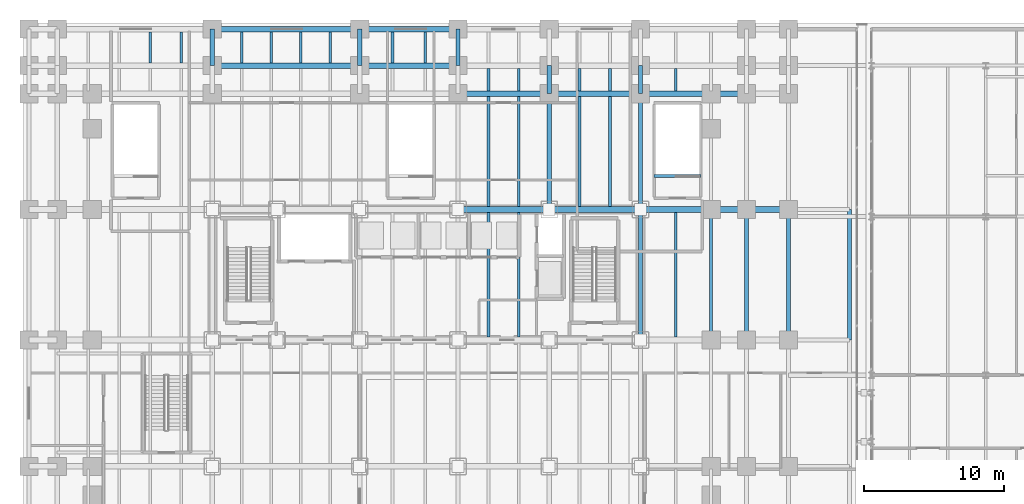
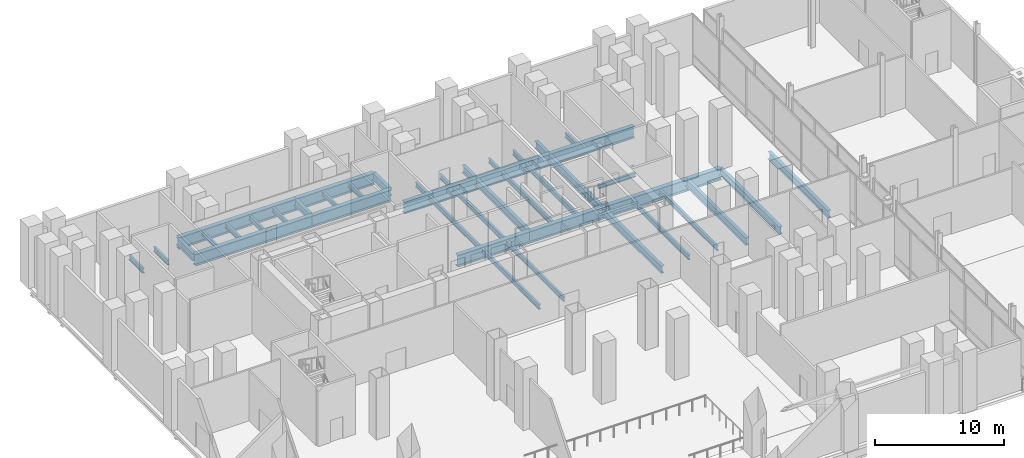
# One storey, part 16 of 36: 44 beams.
"""IFC4 building model written with IfcOpenShell, lengths in metres."""

from ifc_helpers import new_model, si_unit, direction, frame, origin, origin_2d, place, context, subcontext, project, spatial, i_section, extrude, material, material_profile, profile_set, type_object, element, save


model = new_model("IFC4")

# Units and contexts
model_context = context("Model", 3, precision=1e-05, world=origin(), true_north=direction((0.0, 1.0)))
body_context = subcontext(model_context, "Body", "Model", "MODEL_VIEW")
ifc_project = project(units=[si_unit("LENGTHUNIT", "METRE"), si_unit("AREAUNIT", "SQUARE_METRE"), si_unit("VOLUMEUNIT", "CUBIC_METRE"), si_unit("PLANEANGLEUNIT", "RADIAN"), si_unit("MASSUNIT", "GRAM", prefix="KILO")], contexts=[model_context])

# Site, building, storey
site_placement = place(None, origin())
site = spatial("IfcSite", under=ifc_project, at=site_placement, CompositionType="ELEMENT")
building_placement = place(site_placement, origin())
building = spatial("IfcBuilding", under=site, at=building_placement, Name="Noeulbin Bourse Tower", CompositionType="ELEMENT")
storey_placement = place(building_placement, origin())
storey = spatial("IfcBuildingStorey", under=building, at=storey_placement, Name="L01", CompositionType="ELEMENT", Elevation=0.0)

# Beams
ifc_material_1 = material(Name="Steel S355", Category="steel")
ifc_material_profile_1 = material_profile(ifc_material_1, i_section(OverallWidth=0.300048828125, OverallDepth=0.699951171875, WebThickness=0.012939453125, FlangeThickness=0.02392578125, FilletRadius=0.02392578125, at=origin_2d()), Name="H-700x300x13x24", Category="LoadBearing")
ifc_profile_set_1 = profile_set([ifc_material_profile_1], Name="Steel S355")
beam_type_1 = type_object("IfcBeamType", Name="BM-GRD-700", PredefinedType="USERDEFINED", material=ifc_profile_set_1)
for number, where, z_axis, x_axis, name in (
    (1, (13.5, 48.550048828125, -0.60009765625), (0.0, 1.0, 0.0), (-1.0, 0.0, 0.0), "Podium Primary Girder NS L01-094"),
    (2, (24.0, 48.550048828125, -0.60009765625), (0.0, 1.0, 0.0), (-1.0, 0.0, 0.0), "Podium Primary Girder NS L01-101"),
    (3, (31.0, 48.550048828125, -0.60009765625), (0.0, 1.0, 0.0), (-1.0, 0.0, 0.0), "Podium Primary Girder NS L01-108"),
):
    element("IfcBeam", number, at=place(storey_placement, frame(where, z_axis=z_axis, x_axis=x_axis)), inside=storey, type_object=beam_type_1, Name=name, ObjectType="GIRDER", PredefinedType="USERDEFINED", context=body_context, shape_type="SweptSolid", body=[
        extrude(i_section(OverallWidth=0.300048828125, OverallDepth=0.699951171875, WebThickness=0.012939453125, FlangeThickness=0.02392578125, FilletRadius=0.02392578125, at=origin_2d()), origin(), (0.0, 0.0, 1.0), 2.599853515625),
    ])
beam_1_placement = place(storey_placement, frame((37.5, 38.300048828125, -0.60009765625), z_axis=(0.0, 1.0, 0.0), x_axis=(-1.0, 0.0, 0.0)))
element("IfcBeam", 4, at=beam_1_placement, inside=storey, type_object=beam_type_1, Name="Podium Primary Girder NS L01-113", ObjectType="GIRDER", PredefinedType="USERDEFINED", context=body_context, shape_type="SweptSolid", body=[
    extrude(i_section(OverallWidth=0.300048828125, OverallDepth=0.699951171875, WebThickness=0.012939453125, FlangeThickness=0.02392578125, FilletRadius=0.02392578125, at=origin_2d()), origin(), (0.0, 0.0, 1.0), 8.25),
])
beam_2_placement = place(storey_placement, frame((37.5, 46.550048828125, -0.60009765625), z_axis=(0.0, 1.0, 0.0), x_axis=(-1.0, 0.0, 0.0)))
element("IfcBeam", 5, at=beam_2_placement, inside=storey, type_object=beam_type_1, Name="Podium Primary Girder NS L01-114", ObjectType="GIRDER", PredefinedType="USERDEFINED", context=body_context, shape_type="SweptSolid", body=[
    extrude(i_section(OverallWidth=0.300048828125, OverallDepth=0.699951171875, WebThickness=0.012939453125, FlangeThickness=0.02392578125, FilletRadius=0.02392578125, at=origin_2d()), origin(), (0.0, 0.0, 1.0), 2.0),
])
beam_3_placement = place(storey_placement, frame((44.0, 29.0, -0.60009765625), z_axis=(0.0, 1.0, 0.0), x_axis=(-1.0, 0.0, 0.0)))
element("IfcBeam", 6, at=beam_3_placement, inside=storey, type_object=beam_type_1, Name="Podium Primary Girder NS L01-120", ObjectType="GIRDER", PredefinedType="USERDEFINED", context=body_context, shape_type="SweptSolid", body=[
    extrude(i_section(OverallWidth=0.300048828125, OverallDepth=0.699951171875, WebThickness=0.012939453125, FlangeThickness=0.02392578125, FilletRadius=0.02392578125, at=origin_2d()), origin(), (0.0, 0.0, 1.0), 9.300048828125),
])
beam_4_placement = place(storey_placement, frame((44.0, 38.300048828125, -0.60009765625), z_axis=(0.0, 1.0, 0.0), x_axis=(-1.0, 0.0, 0.0)))
element("IfcBeam", 7, at=beam_4_placement, inside=storey, type_object=beam_type_1, Name="Podium Primary Girder NS L01-121", ObjectType="GIRDER", PredefinedType="USERDEFINED", context=body_context, shape_type="SweptSolid", body=[
    extrude(i_section(OverallWidth=0.300048828125, OverallDepth=0.699951171875, WebThickness=0.012939453125, FlangeThickness=0.02392578125, FilletRadius=0.02392578125, at=origin_2d()), origin(), (0.0, 0.0, 1.0), 8.25),
])
beam_5_placement = place(storey_placement, frame((44.0, 46.550048828125, -0.60009765625), z_axis=(0.0, 1.0, 0.0), x_axis=(-1.0, 0.0, 0.0)))
element("IfcBeam", 8, at=beam_5_placement, inside=storey, type_object=beam_type_1, Name="Podium Primary Girder NS L01-122", ObjectType="GIRDER", PredefinedType="USERDEFINED", context=body_context, shape_type="SweptSolid", body=[
    extrude(i_section(OverallWidth=0.300048828125, OverallDepth=0.699951171875, WebThickness=0.012939453125, FlangeThickness=0.02392578125, FilletRadius=0.02392578125, at=origin_2d()), origin(), (0.0, 0.0, 1.0), 2.0),
])
for number, where, z_axis, x_axis, name in (
    (9, (51.550048828125, 29.0, -0.60009765625), (0.0, 1.0, 0.0), (-1.0, 0.0, 0.0), "Podium Primary Girder NS L01-128"),
    (10, (54.550048828125, 29.0, -0.60009765625), (0.0, 1.0, 0.0), (-1.0, 0.0, 0.0), "Podium Primary Girder NS L01-136"),
    (11, (58.89990234375, 29.0, -0.60009765625), (0.0, 1.0, 0.0), (-1.0, 0.0, 0.0), "BM-L01-JNT-NS-4"),
):
    element("IfcBeam", number, at=place(storey_placement, frame(where, z_axis=z_axis, x_axis=x_axis)), inside=storey, type_object=beam_type_1, Name=name, ObjectType="GIRDER", PredefinedType="USERDEFINED", context=body_context, shape_type="SweptSolid", body=[
        extrude(i_section(OverallWidth=0.300048828125, OverallDepth=0.699951171875, WebThickness=0.012939453125, FlangeThickness=0.02392578125, FilletRadius=0.02392578125, at=origin_2d()), origin(), (0.0, 0.0, 1.0), 9.300048828125),
    ])
ifc_material_profile_2 = material_profile(ifc_material_1, i_section(OverallWidth=0.199951171875, OverallDepth=0.39990234375, WebThickness=0.008056640625, FlangeThickness=0.012939453125, FilletRadius=0.01611328125, at=origin_2d()), Name="H-400x200x8x13", Category="LoadBearing")
ifc_profile_set_2 = profile_set([ifc_material_profile_2], Name="Steel S355")
beam_type_2 = type_object("IfcBeamType", Name="BM-SEC-400", PredefinedType="BEAM", material=ifc_profile_set_2)
beam_6_placement = place(storey_placement, frame((44.9599609375, 40.68994140625, -0.199951171875), z_axis=(1.0, 0.0, 0.0), x_axis=(0.0, 1.0, 0.0)))
element("IfcBeam", 12, at=beam_6_placement, inside=storey, type_object=beam_type_2, Name="Stair Threshold Trimmer Beam STS3-L01", PredefinedType="BEAM", context=body_context, shape_type="SweptSolid", body=[
    extrude(i_section(OverallWidth=0.199951171875, OverallDepth=0.39990234375, WebThickness=0.008056640625, FlangeThickness=0.012939453125, FilletRadius=0.01611328125, at=origin_2d()), origin(), (0.0, 0.0, 1.0), 3.360107421875),
])
ifc_material_profile_3 = material_profile(ifc_material_1, i_section(OverallWidth=0.199951171875, OverallDepth=0.449951171875, WebThickness=0.009033203125, FlangeThickness=0.013916015625, FilletRadius=0.01806640625, at=origin_2d()), Name="H-450x200x9x14", Category="LoadBearing")
ifc_profile_set_3 = profile_set([ifc_material_profile_3], Name="Steel S355")
beam_type_3 = type_object("IfcBeamType", Name="BM-SEC-450", PredefinedType="BEAM", material=ifc_profile_set_3)
for number, where, z_axis, x_axis, name in (
    (13, (9.080078125, 48.75, -0.47509765625), (0.0, 1.0, 0.0), (-1.0, 0.0, 0.0), "Podium Secondary Beam L01-019"),
    (14, (11.2900390625, 48.75, -0.47509765625), (0.0, 1.0, 0.0), (-1.0, 0.0, 0.0), "Podium Secondary Beam L01-026"),
    (15, (15.60009765625, 48.75, -0.47509765625), (0.0, 1.0, 0.0), (-1.0, 0.0, 0.0), "Podium Secondary Beam L01-032"),
    (16, (17.699951171875, 48.75, -0.47509765625), (0.0, 1.0, 0.0), (-1.0, 0.0, 0.0), "Podium Secondary Beam L01-038"),
    (17, (19.800048828125, 48.75, -0.47509765625), (0.0, 1.0, 0.0), (-1.0, 0.0, 0.0), "Podium Secondary Beam L01-044"),
    (18, (21.89990234375, 48.75, -0.47509765625), (0.0, 1.0, 0.0), (-1.0, 0.0, 0.0), "Podium Secondary Beam L01-050"),
    (19, (26.333251953125, 48.75, -0.47509765625), (0.0, 1.0, 0.0), (-1.0, 0.0, 0.0), "Podium Secondary Beam L01-056"),
    (20, (28.666748046875, 48.75, -0.47509765625), (0.0, 1.0, 0.0), (-1.0, 0.0, 0.0), "Podium Secondary Beam L01-062"),
):
    element("IfcBeam", number, at=place(storey_placement, frame(where, z_axis=z_axis, x_axis=x_axis)), inside=storey, type_object=beam_type_3, Name=name, PredefinedType="BEAM", context=body_context, shape_type="SweptSolid", body=[
        extrude(i_section(OverallWidth=0.199951171875, OverallDepth=0.449951171875, WebThickness=0.009033203125, FlangeThickness=0.013916015625, FilletRadius=0.01806640625, at=origin_2d()), origin(), (0.0, 0.0, 1.0), 2.199951171875),
    ])
beam_7_placement = place(storey_placement, frame((33.166748046875, 29.199951171875, -0.47509765625), z_axis=(0.0, 1.0, 0.0), x_axis=(-1.0, 0.0, 0.0)))
element("IfcBeam", 21, at=beam_7_placement, inside=storey, type_object=beam_type_3, Name="Podium Secondary Beam L01-066", PredefinedType="BEAM", context=body_context, shape_type="SweptSolid", body=[
    extrude(i_section(OverallWidth=0.199951171875, OverallDepth=0.449951171875, WebThickness=0.009033203125, FlangeThickness=0.013916015625, FilletRadius=0.01806640625, at=origin_2d()), origin(), (0.0, 0.0, 1.0), 8.900146484375),
])
beam_8_placement = place(storey_placement, frame((33.166748046875, 38.5, -0.47509765625), z_axis=(0.0, 1.0, 0.0), x_axis=(-1.0, 0.0, 0.0)))
element("IfcBeam", 22, at=beam_8_placement, inside=storey, type_object=beam_type_3, Name="Podium Secondary Beam L01-067", PredefinedType="BEAM", context=body_context, shape_type="SweptSolid", body=[
    extrude(i_section(OverallWidth=0.199951171875, OverallDepth=0.449951171875, WebThickness=0.009033203125, FlangeThickness=0.013916015625, FilletRadius=0.01806640625, at=origin_2d()), origin(), (0.0, 0.0, 1.0), 7.85009765625),
])
beam_9_placement = place(storey_placement, frame((33.166748046875, 46.75, -0.47509765625), z_axis=(0.0, 1.0, 0.0), x_axis=(-1.0, 0.0, 0.0)))
element("IfcBeam", 23, at=beam_9_placement, inside=storey, type_object=beam_type_3, Name="Podium Secondary Beam L01-068", PredefinedType="BEAM", context=body_context, shape_type="SweptSolid", body=[
    extrude(i_section(OverallWidth=0.199951171875, OverallDepth=0.449951171875, WebThickness=0.009033203125, FlangeThickness=0.013916015625, FilletRadius=0.01806640625, at=origin_2d()), origin(), (0.0, 0.0, 1.0), 1.60009765625),
])
beam_10_placement = place(storey_placement, frame((35.333251953125, 29.199951171875, -0.47509765625), z_axis=(0.0, 1.0, 0.0), x_axis=(-1.0, 0.0, 0.0)))
element("IfcBeam", 24, at=beam_10_placement, inside=storey, type_object=beam_type_3, Name="Podium Secondary Beam L01-073", PredefinedType="BEAM", context=body_context, shape_type="SweptSolid", body=[
    extrude(i_section(OverallWidth=0.199951171875, OverallDepth=0.449951171875, WebThickness=0.009033203125, FlangeThickness=0.013916015625, FilletRadius=0.01806640625, at=origin_2d()), origin(), (0.0, 0.0, 1.0), 8.900146484375),
])
beam_11_placement = place(storey_placement, frame((35.333251953125, 38.5, -0.47509765625), z_axis=(0.0, 1.0, 0.0), x_axis=(-1.0, 0.0, 0.0)))
element("IfcBeam", 25, at=beam_11_placement, inside=storey, type_object=beam_type_3, Name="Podium Secondary Beam L01-074", PredefinedType="BEAM", context=body_context, shape_type="SweptSolid", body=[
    extrude(i_section(OverallWidth=0.199951171875, OverallDepth=0.449951171875, WebThickness=0.009033203125, FlangeThickness=0.013916015625, FilletRadius=0.01806640625, at=origin_2d()), origin(), (0.0, 0.0, 1.0), 7.85009765625),
])
beam_12_placement = place(storey_placement, frame((35.333251953125, 46.75, -0.47509765625), z_axis=(0.0, 1.0, 0.0), x_axis=(-1.0, 0.0, 0.0)))
element("IfcBeam", 26, at=beam_12_placement, inside=storey, type_object=beam_type_3, Name="Podium Secondary Beam L01-075", PredefinedType="BEAM", context=body_context, shape_type="SweptSolid", body=[
    extrude(i_section(OverallWidth=0.199951171875, OverallDepth=0.449951171875, WebThickness=0.009033203125, FlangeThickness=0.013916015625, FilletRadius=0.01806640625, at=origin_2d()), origin(), (0.0, 0.0, 1.0), 1.60009765625),
])
beam_13_placement = place(storey_placement, frame((39.666748046875, 38.5, -0.47509765625), z_axis=(0.0, 1.0, 0.0), x_axis=(-1.0, 0.0, 0.0)))
element("IfcBeam", 27, at=beam_13_placement, inside=storey, type_object=beam_type_3, Name="Podium Secondary Beam L01-081", PredefinedType="BEAM", context=body_context, shape_type="SweptSolid", body=[
    extrude(i_section(OverallWidth=0.199951171875, OverallDepth=0.449951171875, WebThickness=0.009033203125, FlangeThickness=0.013916015625, FilletRadius=0.01806640625, at=origin_2d()), origin(), (0.0, 0.0, 1.0), 7.85009765625),
])
beam_14_placement = place(storey_placement, frame((39.666748046875, 46.75, -0.47509765625), z_axis=(0.0, 1.0, 0.0), x_axis=(-1.0, 0.0, 0.0)))
element("IfcBeam", 28, at=beam_14_placement, inside=storey, type_object=beam_type_3, Name="Podium Secondary Beam L01-082", PredefinedType="BEAM", context=body_context, shape_type="SweptSolid", body=[
    extrude(i_section(OverallWidth=0.199951171875, OverallDepth=0.449951171875, WebThickness=0.009033203125, FlangeThickness=0.013916015625, FilletRadius=0.01806640625, at=origin_2d()), origin(), (0.0, 0.0, 1.0), 1.60009765625),
])
beam_15_placement = place(storey_placement, frame((41.833251953125, 38.5, -0.47509765625), z_axis=(0.0, 1.0, 0.0), x_axis=(-1.0, 0.0, 0.0)))
element("IfcBeam", 29, at=beam_15_placement, inside=storey, type_object=beam_type_3, Name="Podium Secondary Beam L01-088", PredefinedType="BEAM", context=body_context, shape_type="SweptSolid", body=[
    extrude(i_section(OverallWidth=0.199951171875, OverallDepth=0.449951171875, WebThickness=0.009033203125, FlangeThickness=0.013916015625, FilletRadius=0.01806640625, at=origin_2d()), origin(), (0.0, 0.0, 1.0), 7.85009765625),
])
beam_16_placement = place(storey_placement, frame((41.833251953125, 46.75, -0.47509765625), z_axis=(0.0, 1.0, 0.0), x_axis=(-1.0, 0.0, 0.0)))
element("IfcBeam", 30, at=beam_16_placement, inside=storey, type_object=beam_type_3, Name="Podium Secondary Beam L01-089", PredefinedType="BEAM", context=body_context, shape_type="SweptSolid", body=[
    extrude(i_section(OverallWidth=0.199951171875, OverallDepth=0.449951171875, WebThickness=0.009033203125, FlangeThickness=0.013916015625, FilletRadius=0.01806640625, at=origin_2d()), origin(), (0.0, 0.0, 1.0), 1.60009765625),
])
beam_17_placement = place(storey_placement, frame((46.5166015625, 29.199951171875, -0.47509765625), z_axis=(0.0, 1.0, 0.0), x_axis=(-1.0, 0.0, 0.0)))
element("IfcBeam", 31, at=beam_17_placement, inside=storey, type_object=beam_type_3, Name="Podium Secondary Beam L01-095", PredefinedType="BEAM", context=body_context, shape_type="SweptSolid", body=[
    extrude(i_section(OverallWidth=0.199951171875, OverallDepth=0.449951171875, WebThickness=0.009033203125, FlangeThickness=0.013916015625, FilletRadius=0.01806640625, at=origin_2d()), origin(), (0.0, 0.0, 1.0), 8.900146484375),
])
beam_18_placement = place(storey_placement, frame((46.5166015625, 46.75, -0.47509765625), z_axis=(0.0, 1.0, 0.0), x_axis=(-1.0, 0.0, 0.0)))
element("IfcBeam", 32, at=beam_18_placement, inside=storey, type_object=beam_type_3, Name="Podium Secondary Beam L01-096", PredefinedType="BEAM", context=body_context, shape_type="SweptSolid", body=[
    extrude(i_section(OverallWidth=0.199951171875, OverallDepth=0.449951171875, WebThickness=0.009033203125, FlangeThickness=0.013916015625, FilletRadius=0.01806640625, at=origin_2d()), origin(), (0.0, 0.0, 1.0), 1.60009765625),
])
beam_19_placement = place(storey_placement, frame((49.033203125, 29.199951171875, -0.47509765625), z_axis=(0.0, 1.0, 0.0), x_axis=(-1.0, 0.0, 0.0)))
element("IfcBeam", 33, at=beam_19_placement, inside=storey, type_object=beam_type_3, Name="Podium Secondary Beam L01-102", PredefinedType="BEAM", context=body_context, shape_type="SweptSolid", body=[
    extrude(i_section(OverallWidth=0.199951171875, OverallDepth=0.449951171875, WebThickness=0.009033203125, FlangeThickness=0.013916015625, FilletRadius=0.01806640625, at=origin_2d()), origin(), (0.0, 0.0, 1.0), 8.900146484375),
])
ifc_material_2 = material(Name="Steel S460", Category="steel")
ifc_material_profile_4 = material_profile(ifc_material_2, i_section(OverallWidth=0.39990234375, OverallDepth=1.10009765625, WebThickness=0.02001953125, FlangeThickness=0.035888671875, FilletRadius=0.02392578125, at=origin_2d()), Name="PG-1100x400x20x36", Category="LoadBearing")
ifc_profile_set_4 = profile_set([ifc_material_profile_4], Name="Steel S460")
beam_type_4 = type_object("IfcBeamType", Name="BM-TRF-1100", PredefinedType="USERDEFINED", material=ifc_profile_set_4)
for number, where, z_axis, x_axis, name in (
    (34, (31.0, 38.300048828125, -0.800048828125), (1.0, 0.0, 0.0), (0.0, 1.0, 0.0), "Podium Primary Girder EW L01-045"),
    (35, (37.5, 38.300048828125, -0.800048828125), (1.0, 0.0, 0.0), (0.0, 1.0, 0.0), "Podium Primary Girder EW L01-046"),
):
    element("IfcBeam", number, at=place(storey_placement, frame(where, z_axis=z_axis, x_axis=x_axis)), inside=storey, type_object=beam_type_4, Name=name, ObjectType="GIRDER", PredefinedType="USERDEFINED", context=body_context, shape_type="SweptSolid", body=[
        extrude(i_section(OverallWidth=0.39990234375, OverallDepth=1.10009765625, WebThickness=0.02001953125, FlangeThickness=0.035888671875, FilletRadius=0.02392578125, at=origin_2d()), origin(), (0.0, 0.0, 1.0), 6.5),
    ])
beam_20_placement = place(storey_placement, frame((44.0, 38.300048828125, -0.800048828125), z_axis=(1.0, 0.0, 0.0), x_axis=(0.0, 1.0, 0.0)))
element("IfcBeam", 36, at=beam_20_placement, inside=storey, type_object=beam_type_4, Name="Podium Primary Girder EW L01-047", ObjectType="GIRDER", PredefinedType="USERDEFINED", context=body_context, shape_type="SweptSolid", body=[
    extrude(i_section(OverallWidth=0.39990234375, OverallDepth=1.10009765625, WebThickness=0.02001953125, FlangeThickness=0.035888671875, FilletRadius=0.02392578125, at=origin_2d()), origin(), (0.0, 0.0, 1.0), 7.550048828125),
])
beam_21_placement = place(storey_placement, frame((51.550048828125, 38.300048828125, -0.800048828125), z_axis=(1.0, 0.0, 0.0), x_axis=(0.0, 1.0, 0.0)))
element("IfcBeam", 37, at=beam_21_placement, inside=storey, type_object=beam_type_4, Name="Podium Primary Girder EW L01-048", ObjectType="GIRDER", PredefinedType="USERDEFINED", context=body_context, shape_type="SweptSolid", body=[
    extrude(i_section(OverallWidth=0.39990234375, OverallDepth=1.10009765625, WebThickness=0.02001953125, FlangeThickness=0.035888671875, FilletRadius=0.02392578125, at=origin_2d()), origin(), (0.0, 0.0, 1.0), 3.0),
])
for number, where, z_axis, x_axis, name in (
    (38, (31.0, 46.550048828125, -0.800048828125), (1.0, 0.0, 0.0), (0.0, 1.0, 0.0), "Podium Primary Girder EW L01-053"),
    (39, (37.5, 46.550048828125, -0.800048828125), (1.0, 0.0, 0.0), (0.0, 1.0, 0.0), "Podium Primary Girder EW L01-054"),
):
    element("IfcBeam", number, at=place(storey_placement, frame(where, z_axis=z_axis, x_axis=x_axis)), inside=storey, type_object=beam_type_4, Name=name, ObjectType="GIRDER", PredefinedType="USERDEFINED", context=body_context, shape_type="SweptSolid", body=[
        extrude(i_section(OverallWidth=0.39990234375, OverallDepth=1.10009765625, WebThickness=0.02001953125, FlangeThickness=0.035888671875, FilletRadius=0.02392578125, at=origin_2d()), origin(), (0.0, 0.0, 1.0), 6.5),
    ])
beam_22_placement = place(storey_placement, frame((44.0, 46.550048828125, -0.800048828125), z_axis=(1.0, 0.0, 0.0), x_axis=(0.0, 1.0, 0.0)))
element("IfcBeam", 40, at=beam_22_placement, inside=storey, type_object=beam_type_4, Name="Podium Primary Girder EW L01-055", ObjectType="GIRDER", PredefinedType="USERDEFINED", context=body_context, shape_type="SweptSolid", body=[
    extrude(i_section(OverallWidth=0.39990234375, OverallDepth=1.10009765625, WebThickness=0.02001953125, FlangeThickness=0.035888671875, FilletRadius=0.02392578125, at=origin_2d()), origin(), (0.0, 0.0, 1.0), 7.550048828125),
])
beam_23_placement = place(storey_placement, frame((13.5, 48.550048828125, -0.800048828125), z_axis=(1.0, 0.0, 0.0), x_axis=(0.0, 1.0, 0.0)))
element("IfcBeam", 41, at=beam_23_placement, inside=storey, type_object=beam_type_4, Name="Podium Primary Girder EW L01-059", ObjectType="GIRDER", PredefinedType="USERDEFINED", context=body_context, shape_type="SweptSolid", body=[
    extrude(i_section(OverallWidth=0.39990234375, OverallDepth=1.10009765625, WebThickness=0.02001953125, FlangeThickness=0.035888671875, FilletRadius=0.02392578125, at=origin_2d()), origin(), (0.0, 0.0, 1.0), 10.5),
])
beam_24_placement = place(storey_placement, frame((24.0, 48.550048828125, -0.800048828125), z_axis=(1.0, 0.0, 0.0), x_axis=(0.0, 1.0, 0.0)))
element("IfcBeam", 42, at=beam_24_placement, inside=storey, type_object=beam_type_4, Name="Podium Primary Girder EW L01-060", ObjectType="GIRDER", PredefinedType="USERDEFINED", context=body_context, shape_type="SweptSolid", body=[
    extrude(i_section(OverallWidth=0.39990234375, OverallDepth=1.10009765625, WebThickness=0.02001953125, FlangeThickness=0.035888671875, FilletRadius=0.02392578125, at=origin_2d()), origin(), (0.0, 0.0, 1.0), 7.0),
])
beam_25_placement = place(storey_placement, frame((13.5, 51.14990234375, -0.800048828125), z_axis=(1.0, 0.0, 0.0), x_axis=(0.0, 1.0, 0.0)))
element("IfcBeam", 43, at=beam_25_placement, inside=storey, type_object=beam_type_4, Name="Podium Primary Girder EW L01-067", ObjectType="GIRDER", PredefinedType="USERDEFINED", context=body_context, shape_type="SweptSolid", body=[
    extrude(i_section(OverallWidth=0.39990234375, OverallDepth=1.10009765625, WebThickness=0.02001953125, FlangeThickness=0.035888671875, FilletRadius=0.02392578125, at=origin_2d()), origin(), (0.0, 0.0, 1.0), 10.5),
])
beam_26_placement = place(storey_placement, frame((24.0, 51.14990234375, -0.800048828125), z_axis=(1.0, 0.0, 0.0), x_axis=(0.0, 1.0, 0.0)))
element("IfcBeam", 44, at=beam_26_placement, inside=storey, type_object=beam_type_4, Name="Podium Primary Girder EW L01-068", ObjectType="GIRDER", PredefinedType="USERDEFINED", context=body_context, shape_type="SweptSolid", body=[
    extrude(i_section(OverallWidth=0.39990234375, OverallDepth=1.10009765625, WebThickness=0.02001953125, FlangeThickness=0.035888671875, FilletRadius=0.02392578125, at=origin_2d()), origin(), (0.0, 0.0, 1.0), 7.0),
])

save(model, "model.ifc")
